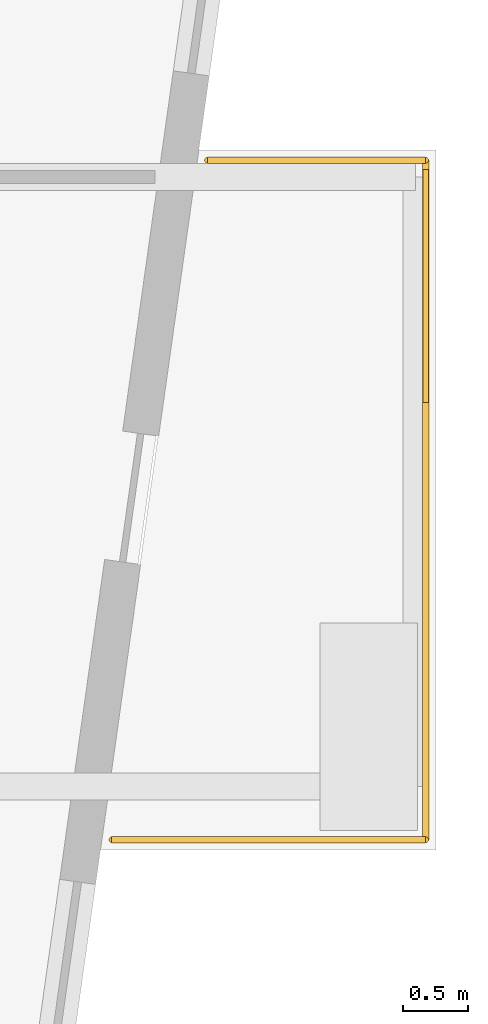
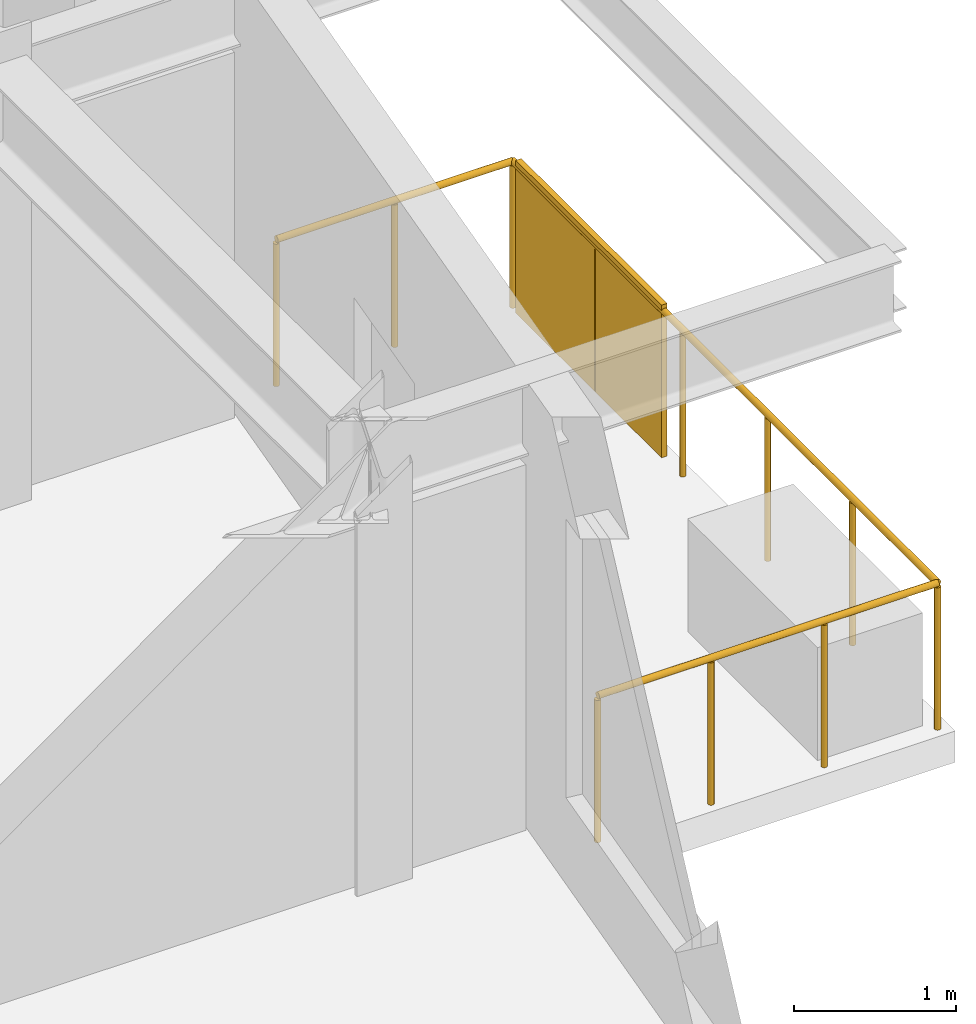
# One storey, part 16 of 16: 3 railings, 1 shading device.
"""IFC4 building model written with IfcOpenShell, lengths in metres."""

from ifc_helpers import new_model, si_unit, direction, frame, origin, origin_2d, place, context, subcontext, project, spatial, rectangle, circle, extrude, material, layer, layer_set, type_object, element, save


model = new_model("IFC4")

# Units and contexts
model_context = context("Model", 3, precision=1e-05, world=origin(), true_north=direction((0.0, 1.0)))
body_context = subcontext(model_context, "Body", "Model", "MODEL_VIEW")
ifc_project = project(units=[si_unit("LENGTHUNIT", "METRE"), si_unit("AREAUNIT", "SQUARE_METRE"), si_unit("VOLUMEUNIT", "CUBIC_METRE"), si_unit("PLANEANGLEUNIT", "RADIAN"), si_unit("MASSUNIT", "GRAM", prefix="KILO")], contexts=[model_context])

# Site, building, storey
site_placement = place(None, origin())
site = spatial("IfcSite", under=ifc_project, at=site_placement, CompositionType="ELEMENT")
building_placement = place(site_placement, origin())
building = spatial("IfcBuilding", under=site, at=building_placement, Name="Kravanh Interchange Tower", CompositionType="ELEMENT")
storey_placement = place(building_placement, frame((0.0, 0.0, 300.300048828125)))
storey = spatial("IfcBuildingStorey", under=building, at=storey_placement, Name="L74", CompositionType="ELEMENT", Elevation=300.300048828125)

# Shading device
ifc_material_1 = material(Name="Perforated Anodised Bronze Aluminium", Category="aluminium")
ifc_layer_1 = layer(ifc_material_1, 0.0400390625)
ifc_layer_set_1 = layer_set([ifc_layer_1], Name="Perforated Bronze Balcony Privacy Screen 1150mm")
shading_device_type = type_object("IfcShadingDeviceType", Name="Perforated Bronze Balcony Privacy Screen 1150mm", PredefinedType="USERDEFINED", material=ifc_layer_set_1)
shading_device_placement = place(storey_placement, frame((69.409912109375, 30.659912109375, 0.0), z_axis=(0.0, 0.0, 1.0), x_axis=(1.0, 0.0, 0.0)))
element("IfcShadingDevice", 1, at=shading_device_placement, inside=storey, type_object=shading_device_type, Name="L74 E Perforated Bronze BALCONY SCREEN", ObjectType="SCREEN", PredefinedType="USERDEFINED", context=body_context, shape_type="SweptSolid", body=[
    extrude(rectangle(XDim=0.0400390625, YDim=1.800048828125, at=origin_2d()), origin(), (0.0, 0.0, 1.0), 1.14990234375),
])

# Railings
ifc_material_2 = material(Name="Stainless Steel 316", Category="steel")
ifc_layer_2 = layer(ifc_material_2, 0.06005859375)
ifc_layer_set_2 = layer_set([ifc_layer_2], Name="Perimeter Balcony and Terrace Guardrail Stainless 316 1120mm")
railing_type = type_object("IfcRailingType", Name="Perimeter Balcony and Terrace Guardrail Stainless 316 1120mm", PredefinedType="GUARDRAIL", material=ifc_layer_set_2)
railing_1_placement = place(storey_placement, frame((69.409912109375, 31.6298828125, 0.0)))
element("IfcRailing", 2, at=railing_1_placement, inside=storey, type_object=railing_type, Name="L74 E Balcony Guardrail 1", PredefinedType="GUARDRAIL", context=body_context, shape_type="SweptSolid", body=[
    extrude(circle(Radius=0.02392578125, at=origin_2d()), frame((0.0, 0.0, 1.09619140625), z_axis=(0.0, -1.0, 0.0), x_axis=(1.0, 0.0, 0.0)), (0.0, 0.0, 1.0), 5.239990234375),
    extrude(circle(Radius=0.02099609375, at=origin_2d()), origin(), (0.0, 0.0, 1.0), 1.072021484375),
    extrude(circle(Radius=0.02099609375, at=origin_2d()), frame((0.0, -1.048095703125, 0.0)), (0.0, 0.0, 1.0), 1.072021484375),
    extrude(circle(Radius=0.02099609375, at=origin_2d()), frame((0.0, -2.095947265625, 0.0)), (0.0, 0.0, 1.0), 1.072021484375),
    extrude(circle(Radius=0.02099609375, at=origin_2d()), frame((0.0, -3.14404296875, 0.0)), (0.0, 0.0, 1.0), 1.072021484375),
    extrude(circle(Radius=0.02099609375, at=origin_2d()), frame((0.0, -4.19189453125, 0.0)), (0.0, 0.0, 1.0), 1.072021484375),
    extrude(circle(Radius=0.02099609375, at=origin_2d()), frame((0.0, -5.239990234375, 0.0)), (0.0, 0.0, 1.0), 1.072021484375),
])
railing_2_placement = place(storey_placement, frame((69.409912109375, 26.389892578125, 0.0)))
element("IfcRailing", 3, at=railing_2_placement, inside=storey, type_object=railing_type, Name="L74 E Balcony Guardrail 2", PredefinedType="GUARDRAIL", context=body_context, shape_type="SweptSolid", body=[
    extrude(circle(Radius=0.02392578125, at=origin_2d()), frame((0.0, 0.0, 1.09619140625), z_axis=(-1.0, 0.0, 0.0), x_axis=(0.0, -1.0, 0.0)), (0.0, 0.0, 1.0), 2.42138671875),
    extrude(circle(Radius=0.02099609375, at=origin_2d()), origin(), (0.0, 0.0, 1.0), 1.072021484375),
    extrude(circle(Radius=0.02099609375, at=origin_2d()), frame((-0.80712890625, 0.0, 0.0)), (0.0, 0.0, 1.0), 1.072021484375),
    extrude(circle(Radius=0.02099609375, at=origin_2d()), frame((-1.6142578125, 0.0, 0.0)), (0.0, 0.0, 1.0), 1.072021484375),
    extrude(circle(Radius=0.02099609375, at=origin_2d()), frame((-2.42138671875, 0.0, 0.0)), (0.0, 0.0, 1.0), 1.072021484375),
])
railing_3_placement = place(storey_placement, frame((67.72509765625, 31.6298828125, 0.0)))
element("IfcRailing", 4, at=railing_3_placement, inside=storey, type_object=railing_type, Name="L74 E Balcony Guardrail 3", PredefinedType="GUARDRAIL", context=body_context, shape_type="SweptSolid", body=[
    extrude(circle(Radius=0.02392578125, at=origin_2d()), frame((0.0, 0.0, 1.09619140625), z_axis=(1.0, 0.0, 0.0), x_axis=(0.0, 1.0, 0.0)), (0.0, 0.0, 1.0), 1.684814453125),
    extrude(circle(Radius=0.02099609375, at=origin_2d()), origin(), (0.0, 0.0, 1.0), 1.072021484375),
    extrude(circle(Radius=0.02099609375, at=origin_2d()), frame((0.84228515625, 0.0, 0.0)), (0.0, 0.0, 1.0), 1.072021484375),
    extrude(circle(Radius=0.02099609375, at=origin_2d()), frame((1.684814453125, 0.0, 0.0)), (0.0, 0.0, 1.0), 1.072021484375),
])

save(model, "model.ifc")
